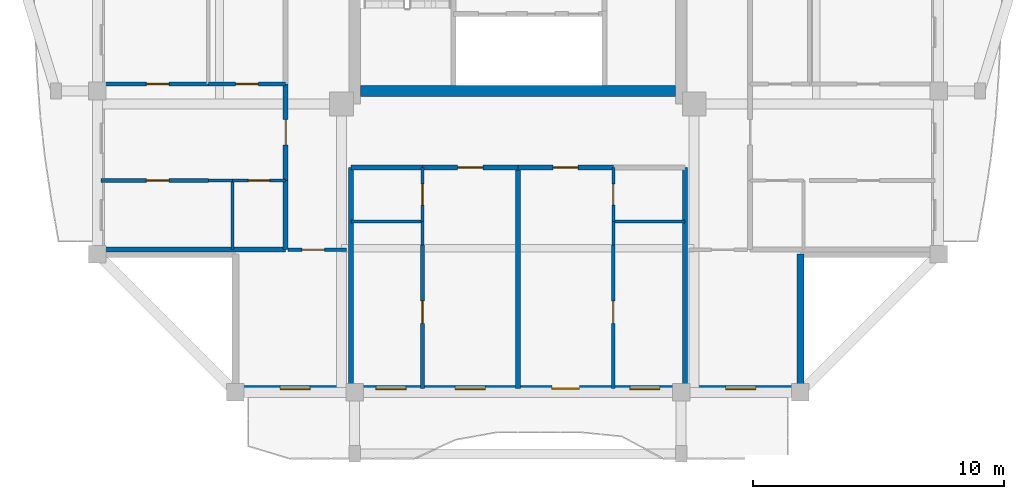
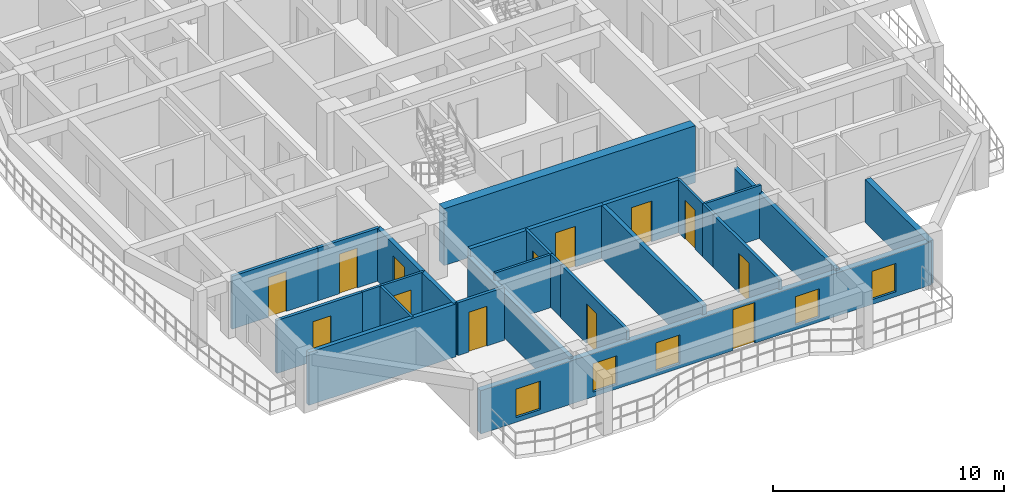
# One storey, part 2 of 13: 27 walls, 13 doors, 5 windows, 18 openings.
"""IFC4 building model written with IfcOpenShell, lengths in metres."""

from ifc_helpers import new_model, si_unit, direction, frame, frame_2d, origin, place, context, subcontext, project, spatial, rectangle, extrude, source, transform, mapped, material, layer, layer_set, type_object, element, fill, save


model = new_model("IFC4")

# Units and contexts
model_context = context("Model", 3, precision=1e-05, world=origin(), true_north=direction((0.0, 1.0)))
body_context = subcontext(model_context, "Body", "Model", "MODEL_VIEW")
ifc_project = project(units=[si_unit("LENGTHUNIT", "METRE"), si_unit("AREAUNIT", "SQUARE_METRE"), si_unit("VOLUMEUNIT", "CUBIC_METRE"), si_unit("PLANEANGLEUNIT", "RADIAN"), si_unit("MASSUNIT", "GRAM", prefix="KILO")], contexts=[model_context])

# Site, building, storey
site_placement = place(None, origin())
site = spatial("IfcSite", under=ifc_project, at=site_placement, CompositionType="ELEMENT")
building_placement = place(site_placement, origin())
building = spatial("IfcBuilding", under=site, at=building_placement, Name="Saelheon Loggia Tower", CompositionType="ELEMENT")
storey_placement = place(building_placement, frame((0.0, 0.0, 220.199951171875)))
storey = spatial("IfcBuildingStorey", under=building, at=storey_placement, Name="L68", CompositionType="ELEMENT", Elevation=220.199951171875)

# Wall
ifc_material_1 = material(Name="Concrete C45/55", Category="concrete")
ifc_layer_1 = layer(ifc_material_1, 0.449951171875)
ifc_layer_set_1 = layer_set([ifc_layer_1], Name="Concrete C45/55")
wall_type_1 = type_object("IfcWallType", Name="Wall_CoreShear_450", PredefinedType="SHEAR", material=ifc_layer_set_1)
wall_1_placement = place(storey_placement, frame((31.72509765625, 18.0, 0.0), z_axis=(0.0, 0.0, 1.0), x_axis=(1.0, 0.0, 0.0)))
element("IfcWall", 1, at=wall_1_placement, inside=storey, type_object=wall_type_1, Name="L68 Core Shear Wall South", PredefinedType="SHEAR", context=body_context, shape_type="SweptSolid", body=[
    extrude(rectangle(XDim=12.5498046875, YDim=0.449951171875, at=frame_2d((6.27490234375, 0.0))), origin(), (0.0, 0.0, 1.0), 3.0),
])

# Wall, openings, windows, door
ifc_material_2 = material(Name="Architectural Precast Concrete C40/50", Category="concrete")
ifc_layer_2 = layer(ifc_material_2, 0.280029296875)
ifc_layer_set_2 = layer_set([ifc_layer_2], Name="Architectural Precast Concrete C40/50")
wall_type_2 = type_object("IfcWallType", Name="Wall_Ext_Loggia_280", PredefinedType="SOLIDWALL", material=ifc_layer_set_2)
wall_2_placement = place(storey_placement, frame((26.75, 6.139892578125, 0.0), z_axis=(0.0, 0.0, 1.0), x_axis=(1.0, 0.0, 0.0)))
wall_2 = element("IfcWall", 2, at=wall_2_placement, inside=storey, type_object=wall_type_2, Name="L68 South Loggia Inner Wall", PredefinedType="SOLIDWALL", context=body_context, shape_type="SweptSolid", body=[
    extrude(rectangle(XDim=22.5, YDim=0.280029296875, at=frame_2d((11.25, 0.0))), origin(), (0.0, 0.0, 1.0), 2.280029296875),
])
opening_1_placement = place(wall_2_placement, frame((1.77490234375, 0.0, 0.25)))
opening_1 = element("IfcOpeningElement", 3, at=opening_1_placement, cuts=wall_2, Name="Opening WN-03", PredefinedType="OPENING", context=body_context, shape_type="SweptSolid", body=[
    extrude(rectangle(XDim=1.199951171875, YDim=1.5, at=frame_2d((0.60009765625, 0.75))), frame((0.0, 0.152099609375, 0.0), z_axis=(0.0, -1.0, 0.0), x_axis=(1.0, 0.0, 0.0)), (0.0, 0.0, 1.0), 0.303955078125),
])
opening_2_placement = place(wall_2_placement, frame((5.594970703125, 0.0, 0.25)))
opening_2 = element("IfcOpeningElement", 4, at=opening_2_placement, cuts=wall_2, Name="Opening WN-03", PredefinedType="OPENING", context=body_context, shape_type="SweptSolid", body=[
    extrude(rectangle(XDim=1.199951171875, YDim=1.5, at=frame_2d((0.60009765625, 0.75))), frame((0.0, 0.152099609375, 0.0), z_axis=(0.0, -1.0, 0.0), x_axis=(1.0, 0.0, 0.0)), (0.0, 0.0, 1.0), 0.303955078125),
])
opening_3_placement = place(wall_2_placement, frame((8.75, 0.0, 0.25)))
opening_3 = element("IfcOpeningElement", 5, at=opening_3_placement, cuts=wall_2, Name="Opening WN-03", PredefinedType="OPENING", context=body_context, shape_type="SweptSolid", body=[
    extrude(rectangle(XDim=1.199951171875, YDim=1.5, at=frame_2d((0.60009765625, 0.75))), frame((0.0, 0.152099609375, 0.0), z_axis=(0.0, -1.0, 0.0), x_axis=(1.0, 0.0, 0.0)), (0.0, 0.0, 1.0), 0.303955078125),
])
opening_4_placement = place(wall_2_placement, frame((13.7001953125, 0.0, 0.0), z_axis=(0.0, 0.0, 1.0), x_axis=(-1.0, 0.0, 0.0)))
opening_4 = element("IfcOpeningElement", 6, at=opening_4_placement, cuts=wall_2, Name="Opening TD1", PredefinedType="OPENING", context=body_context, shape_type="SweptSolid", body=[
    extrude(rectangle(XDim=1.10009765625, YDim=2.14990234375, at=frame_2d((0.550048828125, 1.074951171875))), frame((0.0, 0.152099609375, 0.0), z_axis=(0.0, -1.0, 0.0), x_axis=(1.0, 0.0, 0.0)), (0.0, 0.0, 1.0), 0.303955078125),
])
opening_5_placement = place(wall_2_placement, frame((15.705078125, 0.0, 0.25)))
opening_5 = element("IfcOpeningElement", 7, at=opening_5_placement, cuts=wall_2, Name="Opening WN-03", PredefinedType="OPENING", context=body_context, shape_type="SweptSolid", body=[
    extrude(rectangle(XDim=1.199951171875, YDim=1.5, at=frame_2d((0.60009765625, 0.75))), frame((0.0, 0.152099609375, 0.0), z_axis=(0.0, -1.0, 0.0), x_axis=(1.0, 0.0, 0.0)), (0.0, 0.0, 1.0), 0.303955078125),
])
opening_6_placement = place(wall_2_placement, frame((19.52490234375, 0.0, 0.25)))
opening_6 = element("IfcOpeningElement", 8, at=opening_6_placement, cuts=wall_2, Name="Opening WN-03", PredefinedType="OPENING", context=body_context, shape_type="SweptSolid", body=[
    extrude(rectangle(XDim=1.199951171875, YDim=1.5, at=frame_2d((0.60009765625, 0.75))), frame((0.0, 0.152099609375, 0.0), z_axis=(0.0, -1.0, 0.0), x_axis=(1.0, 0.0, 0.0)), (0.0, 0.0, 1.0), 0.303955078125),
])
ifc_material_3 = material(Name="Thermal-Break Aluminium and Triple Low-E Glass", Category="aluminium")
window_type = type_object("IfcWindowType", Name="Win_Bedroom_1200x1500", PartitioningType="SINGLE_PANEL", PredefinedType="WINDOW", material=ifc_material_3)
shared_shape_1 = source(origin(), body_context, "Body", "SweptSolid", [
    extrude(rectangle(XDim=1.199951171875, YDim=1.5, at=frame_2d((0.60009765625, 0.75))), frame((0.0, 0.030029296875, 0.0), z_axis=(0.0, -1.0, 0.0), x_axis=(1.0, 0.0, 0.0)), (0.0, 0.0, 1.0), 0.06005859375),
])
window_1_placement = place(opening_1_placement, origin())
window_1 = element("IfcWindow", 9, at=window_1_placement, inside=storey, type_object=window_type, Name="L68 S Dwelling Window 1", OverallHeight=1.5, OverallWidth=1.199951171875, PartitioningType="SINGLE_PANEL", PredefinedType="WINDOW", context=body_context, shape_type="MappedRepresentation", body=[
    mapped(shared_shape_1, transform((0.0, 0.0, 0.0), scale=1.0)),
])
fill(opening_1, window_1)
window_2_placement = place(opening_2_placement, origin())
window_2 = element("IfcWindow", 10, at=window_2_placement, inside=storey, type_object=window_type, Name="L68 S Dwelling Window 2", OverallHeight=1.5, OverallWidth=1.199951171875, PartitioningType="SINGLE_PANEL", PredefinedType="WINDOW", context=body_context, shape_type="MappedRepresentation", body=[
    mapped(shared_shape_1, transform((0.0, 0.0, 0.0), scale=1.0)),
])
fill(opening_2, window_2)
window_3_placement = place(opening_3_placement, origin())
window_3 = element("IfcWindow", 11, at=window_3_placement, inside=storey, type_object=window_type, Name="L68 S Dwelling Window 3", OverallHeight=1.5, OverallWidth=1.199951171875, PartitioningType="SINGLE_PANEL", PredefinedType="WINDOW", context=body_context, shape_type="MappedRepresentation", body=[
    mapped(shared_shape_1, transform((0.0, 0.0, 0.0), scale=1.0)),
])
fill(opening_3, window_3)
window_4_placement = place(opening_5_placement, origin())
window_4 = element("IfcWindow", 12, at=window_4_placement, inside=storey, type_object=window_type, Name="L68 S Dwelling Window 5", OverallHeight=1.5, OverallWidth=1.199951171875, PartitioningType="SINGLE_PANEL", PredefinedType="WINDOW", context=body_context, shape_type="MappedRepresentation", body=[
    mapped(shared_shape_1, transform((0.0, 0.0, 0.0), scale=1.0)),
])
fill(opening_5, window_4)
window_5_placement = place(opening_6_placement, origin())
window_5 = element("IfcWindow", 13, at=window_5_placement, inside=storey, type_object=window_type, Name="L68 S Dwelling Window 6", OverallHeight=1.5, OverallWidth=1.199951171875, PartitioningType="SINGLE_PANEL", PredefinedType="WINDOW", context=body_context, shape_type="MappedRepresentation", body=[
    mapped(shared_shape_1, transform((0.0, 0.0, 0.0), scale=1.0)),
])
fill(opening_6, window_5)
ifc_material_4 = material(Name="Thermal-Break Aluminium Glazed Door", Category="aluminium")
door_type_1 = type_object("IfcDoorType", Name="Door_Terrace_TD1", OperationType="NOTDEFINED", PredefinedType="DOOR", material=ifc_material_4)
shared_shape_2 = source(origin(), body_context, "Body", "SweptSolid", [
    extrude(rectangle(XDim=1.10009765625, YDim=2.14990234375, at=frame_2d((0.550048828125, 1.074951171875))), frame((0.0, 0.02490234375, 0.0), z_axis=(0.0, -1.0, 0.0), x_axis=(1.0, 0.0, 0.0)), (0.0, 0.0, 1.0), 0.050048828125),
])
door_1_placement = place(opening_4_placement, origin())
door_1 = element("IfcDoor", 14, at=door_1_placement, inside=storey, type_object=door_type_1, Name="L68 S Loggia Access Door", OperationType="SINGLE_SWING_RIGHT", OverallHeight=2.14990234375, OverallWidth=1.10009765625, PredefinedType="DOOR", context=body_context, shape_type="MappedRepresentation", body=[
    mapped(shared_shape_2, transform((0.0, 0.0, 0.0), scale=1.0)),
])
fill(opening_4, door_1)

# Wall
wall_3_placement = place(storey_placement, frame((49.25, 6.080078125, 0.0), z_axis=(0.0, 0.0, 1.0), x_axis=(0.0, 1.0, 0.0)))
element("IfcWall", 15, at=wall_3_placement, inside=storey, type_object=wall_type_2, Name="L68 Corner Notch Precast Wall SE1", PredefinedType="SOLIDWALL", context=body_context, shape_type="SweptSolid", body=[
    extrude(rectangle(XDim=5.419921875, YDim=0.280029296875, at=frame_2d((2.7099609375, 0.0))), origin(), (0.0, 0.0, 1.0), 2.280029296875),
])

# Wall, opening, door
ifc_material_5 = material(Name="Lightweight Autoclaved Aerated Concrete Block and Acoustic Gypsum", Category="concrete")
ifc_layer_3 = layer(ifc_material_5, 0.14990234375)
ifc_layer_set_3 = layer_set([ifc_layer_3], Name="Lightweight Autoclaved Aerated Concrete Block and Acoustic Gypsum")
wall_type_3 = type_object("IfcWallType", Name="Wall_Part_150", PredefinedType="PARTITIONING", material=ifc_layer_set_3)
wall_4_placement = place(storey_placement, frame((28.85009765625, 11.679931640625, 0.0), z_axis=(0.0, 0.0, 1.0), x_axis=(1.0, 0.0, 0.0)))
wall_4 = element("IfcWall", 16, at=wall_4_placement, inside=storey, type_object=wall_type_3, Name="PW-L68-CSW-H", PredefinedType="PARTITIONING", context=body_context, shape_type="SweptSolid", body=[
    extrude(rectangle(XDim=2.329833984375, YDim=0.14990234375, at=frame_2d((1.1650390625, 0.0))), origin(), (0.0, 0.0, 1.0), 2.7900390625),
])
opening_7_placement = place(wall_4_placement, frame((0.550048828125, 0.0, 0.0)))
opening_7 = element("IfcOpeningElement", 17, at=opening_7_placement, cuts=wall_4, Name="Opening D-IN2", PredefinedType="OPENING", context=body_context, shape_type="SweptSolid", body=[
    extrude(rectangle(XDim=0.89990234375, YDim=2.10009765625, at=frame_2d((0.449951171875, 1.050048828125))), frame((0.0, 0.0869140625, 0.0), z_axis=(0.0, -1.0, 0.0), x_axis=(1.0, 0.0, 0.0)), (0.0, 0.0, 1.0), 0.173828125),
])
ifc_material_6 = material(Name="Engineered Oak Flush Door", Category="timber")
door_type_2 = type_object("IfcDoorType", Name="Door_Int_900", OperationType="NOTDEFINED", PredefinedType="DOOR", material=ifc_material_6)
shared_shape_3 = source(origin(), body_context, "Body", "SweptSolid", [
    extrude(rectangle(XDim=0.89990234375, YDim=2.10009765625, at=frame_2d((0.449951171875, 1.050048828125))), frame((0.0, 0.02490234375, 0.0), z_axis=(0.0, -1.0, 0.0), x_axis=(1.0, 0.0, 0.0)), (0.0, 0.0, 1.0), 0.050048828125),
])
door_2_placement = place(opening_7_placement, origin())
door_2 = element("IfcDoor", 18, at=door_2_placement, inside=storey, type_object=door_type_2, Name="L68 Corner Home Office SW Door", OperationType="SINGLE_SWING_RIGHT", OverallHeight=2.10009765625, OverallWidth=0.89990234375, PredefinedType="DOOR", context=body_context, shape_type="MappedRepresentation", body=[
    mapped(shared_shape_3, transform((0.0, 0.0, 0.0), scale=1.0)),
])
fill(opening_7, door_2)

wall_5_placement = place(storey_placement, frame((34.199951171875, 11.8701171875, 0.0), z_axis=(0.0, 0.0, 1.0), x_axis=(0.0, -1.0, 0.0)))
wall_5 = element("IfcWall", 19, at=wall_5_placement, inside=storey, type_object=wall_type_3, Name="L68 S Partition U08", PredefinedType="PARTITIONING", context=body_context, shape_type="SweptSolid", body=[
    extrude(rectangle(XDim=5.72021484375, YDim=0.14990234375, at=frame_2d((2.860107421875, 0.0))), origin(), (0.0, 0.0, 1.0), 2.7900390625),
])
opening_8_placement = place(wall_5_placement, frame((2.229248046875, 0.0, 0.0)))
opening_8 = element("IfcOpeningElement", 20, at=opening_8_placement, cuts=wall_5, Name="Opening D-IN2", PredefinedType="OPENING", context=body_context, shape_type="SweptSolid", body=[
    extrude(rectangle(XDim=0.89990234375, YDim=2.10009765625, at=frame_2d((0.449951171875, 1.050048828125))), frame((0.0, 0.0869140625, 0.0), z_axis=(0.0, -1.0, 0.0), x_axis=(1.0, 0.0, 0.0)), (0.0, 0.0, 1.0), 0.173828125),
])
door_3_placement = place(opening_8_placement, origin())
door_3 = element("IfcDoor", 21, at=door_3_placement, inside=storey, type_object=door_type_2, Name="Unit U01 Kitchen Door", OperationType="SINGLE_SWING_RIGHT", OverallHeight=2.10009765625, OverallWidth=0.89990234375, PredefinedType="DOOR", context=body_context, shape_type="MappedRepresentation", body=[
    mapped(shared_shape_3, transform((0.0, 0.0, 0.0), scale=1.0)),
])
fill(opening_8, door_3)

wall_6_placement = place(storey_placement, frame((41.800048828125, 11.8701171875, 0.0), z_axis=(0.0, 0.0, 1.0), x_axis=(0.0, -1.0, 0.0)))
wall_6 = element("IfcWall", 22, at=wall_6_placement, inside=storey, type_object=wall_type_3, Name="L68 S Partition U15", PredefinedType="PARTITIONING", context=body_context, shape_type="SweptSolid", body=[
    extrude(rectangle(XDim=5.72021484375, YDim=0.14990234375, at=frame_2d((2.860107421875, 0.0))), origin(), (0.0, 0.0, 1.0), 2.7900390625),
])
opening_9_placement = place(wall_6_placement, frame((2.229248046875, 0.0, 0.0)))
opening_9 = element("IfcOpeningElement", 23, at=opening_9_placement, cuts=wall_6, Name="Opening D-IN2", PredefinedType="OPENING", context=body_context, shape_type="SweptSolid", body=[
    extrude(rectangle(XDim=0.89990234375, YDim=2.10009765625, at=frame_2d((0.449951171875, 1.050048828125))), frame((0.0, 0.0869140625, 0.0), z_axis=(0.0, -1.0, 0.0), x_axis=(1.0, 0.0, 0.0)), (0.0, 0.0, 1.0), 0.173828125),
])
door_4_placement = place(opening_9_placement, origin())
door_4 = element("IfcDoor", 24, at=door_4_placement, inside=storey, type_object=door_type_2, Name="Unit U02 Kitchen Door", OperationType="SINGLE_SWING_LEFT", OverallHeight=2.10009765625, OverallWidth=0.89990234375, PredefinedType="DOOR", context=body_context, shape_type="MappedRepresentation", body=[
    mapped(shared_shape_3, transform((0.0, 0.0, 0.0), scale=1.0)),
])
fill(opening_9, door_4)

wall_7_placement = place(storey_placement, frame((25.669921875, 14.429931640625, 0.0), z_axis=(0.0, 0.0, 1.0), x_axis=(-1.0, 0.0, 0.0)))
wall_7 = element("IfcWall", 25, at=wall_7_placement, inside=storey, type_object=wall_type_3, Name="L68 W Partition U10", PredefinedType="PARTITIONING", context=body_context, shape_type="SweptSolid", body=[
    extrude(rectangle(XDim=4.27001953125, YDim=0.14990234375, at=frame_2d((2.135009765625, 0.0))), origin(), (0.0, 0.0, 1.0), 2.7900390625),
])
opening_10_placement = place(wall_7_placement, frame((1.564697265625, 0.0, 0.0)))
opening_10 = element("IfcOpeningElement", 26, at=opening_10_placement, cuts=wall_7, Name="Opening D-IN2", PredefinedType="OPENING", context=body_context, shape_type="SweptSolid", body=[
    extrude(rectangle(XDim=0.89990234375, YDim=2.10009765625, at=frame_2d((0.449951171875, 1.050048828125))), frame((0.0, 0.0869140625, 0.0), z_axis=(0.0, -1.0, 0.0), x_axis=(1.0, 0.0, 0.0)), (0.0, 0.0, 1.0), 0.173828125),
])
door_5_placement = place(opening_10_placement, origin())
door_5 = element("IfcDoor", 27, at=door_5_placement, inside=storey, type_object=door_type_2, Name="Unit U05 Kitchen Door", OperationType="SINGLE_SWING_LEFT", OverallHeight=2.10009765625, OverallWidth=0.89990234375, PredefinedType="DOOR", context=body_context, shape_type="MappedRepresentation", body=[
    mapped(shared_shape_3, transform((0.0, 0.0, 0.0), scale=1.0)),
])
fill(opening_10, door_5)

wall_8_placement = place(storey_placement, frame((28.75, 18.280029296875, 0.0), z_axis=(0.0, 0.0, 1.0), x_axis=(-1.0, 0.0, 0.0)))
wall_8 = element("IfcWall", 28, at=wall_8_placement, inside=storey, type_object=wall_type_3, Name="L68 W Partition U11", PredefinedType="PARTITIONING", context=body_context, shape_type="SweptSolid", body=[
    extrude(rectangle(XDim=3.080078125, YDim=0.14990234375, at=frame_2d((1.5400390625, 0.0))), origin(), (0.0, 0.0, 1.0), 2.7900390625),
])
opening_11_placement = place(wall_8_placement, frame((1.090087890625, 0.0, 0.0)))
opening_11 = element("IfcOpeningElement", 29, at=opening_11_placement, cuts=wall_8, Name="Opening D-IN2", PredefinedType="OPENING", context=body_context, shape_type="SweptSolid", body=[
    extrude(rectangle(XDim=0.89990234375, YDim=2.10009765625, at=frame_2d((0.449951171875, 1.050048828125))), frame((0.0, 0.0869140625, 0.0), z_axis=(0.0, -1.0, 0.0), x_axis=(1.0, 0.0, 0.0)), (0.0, 0.0, 1.0), 0.173828125),
])
door_6_placement = place(opening_11_placement, origin())
door_6 = element("IfcDoor", 30, at=door_6_placement, inside=storey, type_object=door_type_2, Name="Unit U05 Home Office Door", OperationType="SINGLE_SWING_RIGHT", OverallHeight=2.10009765625, OverallWidth=0.89990234375, PredefinedType="DOOR", context=body_context, shape_type="MappedRepresentation", body=[
    mapped(shared_shape_3, transform((0.0, 0.0, 0.0), scale=1.0)),
])
fill(opening_11, door_6)

wall_9_placement = place(storey_placement, frame((25.669921875, 18.280029296875, 0.0), z_axis=(0.0, 0.0, 1.0), x_axis=(-1.0, 0.0, 0.0)))
wall_9 = element("IfcWall", 31, at=wall_9_placement, inside=storey, type_object=wall_type_3, Name="L68 W Partition U12", PredefinedType="PARTITIONING", context=body_context, shape_type="SweptSolid", body=[
    extrude(rectangle(XDim=4.27001953125, YDim=0.14990234375, at=frame_2d((2.135009765625, 0.0))), origin(), (0.0, 0.0, 1.0), 2.7900390625),
])
opening_12_placement = place(wall_9_placement, frame((1.564697265625, 0.0, 0.0)))
opening_12 = element("IfcOpeningElement", 32, at=opening_12_placement, cuts=wall_9, Name="Opening D-IN2", PredefinedType="OPENING", context=body_context, shape_type="SweptSolid", body=[
    extrude(rectangle(XDim=0.89990234375, YDim=2.10009765625, at=frame_2d((0.449951171875, 1.050048828125))), frame((0.0, 0.0869140625, 0.0), z_axis=(0.0, -1.0, 0.0), x_axis=(1.0, 0.0, 0.0)), (0.0, 0.0, 1.0), 0.173828125),
])
door_7_placement = place(opening_12_placement, origin())
door_7 = element("IfcDoor", 33, at=door_7_placement, inside=storey, type_object=door_type_2, Name="Unit U05 Bedroom 1 Door", OperationType="SINGLE_SWING_LEFT", OverallHeight=2.10009765625, OverallWidth=0.89990234375, PredefinedType="DOOR", context=body_context, shape_type="MappedRepresentation", body=[
    mapped(shared_shape_3, transform((0.0, 0.0, 0.0), scale=1.0)),
])
fill(opening_12, door_7)

# Walls
ifc_material_7 = material(Name="Double Acoustic Stud and Fireboard Partition", Category="gypsum")
ifc_layer_4 = layer(ifc_material_7, 0.199951171875)
ifc_layer_set_4 = layer_set([ifc_layer_4], Name="Double Acoustic Stud and Fireboard Partition")
wall_type_4 = type_object("IfcWallType", Name="Wall_Party_200", PredefinedType="PARTITIONING", material=ifc_layer_set_4)
for number, where, z_axis, x_axis, name in (
    (34, (31.35009765625, 14.949951171875, 0.0), (0.0, 0.0, 1.0), (0.0, -1.0, 0.0), "L68 S Partition U01"),
    (35, (44.64990234375, 14.949951171875, 0.0), (0.0, 0.0, 1.0), (0.0, -1.0, 0.0), "L68 S Partition U02"),
):
    element("IfcWall", number, at=place(storey_placement, frame(where, z_axis=z_axis, x_axis=x_axis)), inside=storey, type_object=wall_type_4, Name=name, PredefinedType="PARTITIONING", context=body_context, shape_type="SweptSolid", body=[
        extrude(rectangle(XDim=8.800048828125, YDim=0.199951171875, at=frame_2d((4.39990234375, 0.0))), origin(), (0.0, 0.0, 1.0), 2.39013671875),
    ])
wall_10_placement = place(storey_placement, frame((31.35009765625, 14.949951171875, 0.0), z_axis=(0.0, 0.0, 1.0), x_axis=(1.0, 0.0, 0.0)))
element("IfcWall", 36, at=wall_10_placement, inside=storey, type_object=wall_type_4, Name="L68 S Partition V03", PredefinedType="PARTITIONING", context=body_context, shape_type="SweptSolid", body=[
    extrude(rectangle(XDim=2.849853515625, YDim=0.199951171875, at=frame_2d((1.4248046875, 0.0))), origin(), (0.0, 0.0, 1.0), 2.7900390625),
])

# Wall, opening, door
wall_11_placement = place(storey_placement, frame((34.199951171875, 14.949951171875, 0.0), z_axis=(0.0, 0.0, 1.0), x_axis=(1.0, 0.0, 0.0)))
wall_11 = element("IfcWall", 37, at=wall_11_placement, inside=storey, type_object=wall_type_4, Name="L68 S Partition V04", PredefinedType="PARTITIONING", context=body_context, shape_type="SweptSolid", body=[
    extrude(rectangle(XDim=3.800048828125, YDim=0.199951171875, at=frame_2d((1.89990234375, 0.0))), origin(), (0.0, 0.0, 1.0), 2.7900390625),
])
opening_13_placement = place(wall_11_placement, frame((1.39990234375, 0.0, 0.0)))
opening_13 = element("IfcOpeningElement", 38, at=opening_13_placement, cuts=wall_11, Name="Opening D-FD1", PredefinedType="OPENING", context=body_context, shape_type="SweptSolid", body=[
    extrude(rectangle(XDim=1.0, YDim=2.14990234375, at=frame_2d((0.5, 1.074951171875))), frame((0.0, 0.112060546875, 0.0), z_axis=(0.0, -1.0, 0.0), x_axis=(1.0, 0.0, 0.0)), (0.0, 0.0, 1.0), 0.223876953125),
])
ifc_material_8 = material(Name="Fire-Rated Engineered Timber Entrance Door", Category="wood")
door_type_3 = type_object("IfcDoorType", Name="Door_Flat_FD30S", OperationType="NOTDEFINED", PredefinedType="DOOR", material=ifc_material_8)
shared_shape_4 = source(origin(), body_context, "Body", "SweptSolid", [
    extrude(rectangle(XDim=1.0, YDim=2.14990234375, at=frame_2d((0.5, 1.074951171875))), frame((0.0, 0.02490234375, 0.0), z_axis=(0.0, -1.0, 0.0), x_axis=(1.0, 0.0, 0.0)), (0.0, 0.0, 1.0), 0.050048828125),
])
door_8_placement = place(opening_13_placement, origin())
door_8 = element("IfcDoor", 39, at=door_8_placement, inside=storey, type_object=door_type_3, Name="Unit U01 Entrance Door", OperationType="SINGLE_SWING_RIGHT", OverallHeight=2.14990234375, OverallWidth=1.0, PredefinedType="DOOR", context=body_context, shape_type="MappedRepresentation", body=[
    mapped(shared_shape_4, transform((0.0, 0.0, 0.0), scale=1.0)),
])
fill(opening_13, door_8)

# Wall
wall_12_placement = place(storey_placement, frame((38.0, 14.949951171875, 0.0), z_axis=(0.0, 0.0, 1.0), x_axis=(0.0, -1.0, 0.0)))
element("IfcWall", 40, at=wall_12_placement, inside=storey, type_object=wall_type_4, Name="L68 S Partition U09", PredefinedType="PARTITIONING", context=body_context, shape_type="SweptSolid", body=[
    extrude(rectangle(XDim=8.800048828125, YDim=0.199951171875, at=frame_2d((4.39990234375, 0.0))), origin(), (0.0, 0.0, 1.0), 2.7900390625),
])

# Wall, opening, door
wall_13_placement = place(storey_placement, frame((38.0, 14.949951171875, 0.0), z_axis=(0.0, 0.0, 1.0), x_axis=(1.0, 0.0, 0.0)))
wall_13 = element("IfcWall", 41, at=wall_13_placement, inside=storey, type_object=wall_type_4, Name="L68 S Partition V10", PredefinedType="PARTITIONING", context=body_context, shape_type="SweptSolid", body=[
    extrude(rectangle(XDim=3.800048828125, YDim=0.199951171875, at=frame_2d((1.89990234375, 0.0))), origin(), (0.0, 0.0, 1.0), 2.7900390625),
])
opening_14_placement = place(wall_13_placement, frame((1.39990234375, 0.0, 0.0)))
opening_14 = element("IfcOpeningElement", 42, at=opening_14_placement, cuts=wall_13, Name="Opening D-FD1", PredefinedType="OPENING", context=body_context, shape_type="SweptSolid", body=[
    extrude(rectangle(XDim=1.0, YDim=2.14990234375, at=frame_2d((0.5, 1.074951171875))), frame((0.0, 0.112060546875, 0.0), z_axis=(0.0, -1.0, 0.0), x_axis=(1.0, 0.0, 0.0)), (0.0, 0.0, 1.0), 0.223876953125),
])
door_9_placement = place(opening_14_placement, origin())
door_9 = element("IfcDoor", 43, at=door_9_placement, inside=storey, type_object=door_type_3, Name="Unit U02 Entrance Door", OperationType="SINGLE_SWING_LEFT", OverallHeight=2.14990234375, OverallWidth=1.0, PredefinedType="DOOR", context=body_context, shape_type="MappedRepresentation", body=[
    mapped(shared_shape_4, transform((0.0, 0.0, 0.0), scale=1.0)),
])
fill(opening_14, door_9)

# Walls
wall_14_placement = place(storey_placement, frame((28.75, 11.679931640625, 0.0), z_axis=(0.0, 0.0, 1.0), x_axis=(-1.0, 0.0, 0.0)))
element("IfcWall", 44, at=wall_14_placement, inside=storey, type_object=wall_type_4, Name="L68 W Partition U01", PredefinedType="PARTITIONING", context=body_context, shape_type="SweptSolid", body=[
    extrude(rectangle(XDim=7.35009765625, YDim=0.199951171875, at=frame_2d((3.675048828125, 0.0))), origin(), (0.0, 0.0, 1.0), 2.7900390625),
])
wall_15_placement = place(storey_placement, frame((28.75, 11.679931640625, 0.0), z_axis=(0.0, 0.0, 1.0), x_axis=(0.0, 1.0, 0.0)))
element("IfcWall", 45, at=wall_15_placement, inside=storey, type_object=wall_type_4, Name="L68 W Partition V03", PredefinedType="PARTITIONING", context=body_context, shape_type="SweptSolid", body=[
    extrude(rectangle(XDim=2.75, YDim=0.199951171875, at=frame_2d((1.375, 0.0))), origin(), (0.0, 0.0, 1.0), 2.7900390625),
])

# Wall, opening, door
wall_16_placement = place(storey_placement, frame((28.75, 14.429931640625, 0.0), z_axis=(0.0, 0.0, 1.0), x_axis=(0.0, 1.0, 0.0)))
wall_16 = element("IfcWall", 46, at=wall_16_placement, inside=storey, type_object=wall_type_4, Name="L68 W Partition V04", PredefinedType="PARTITIONING", context=body_context, shape_type="SweptSolid", body=[
    extrude(rectangle(XDim=3.85009765625, YDim=0.199951171875, at=frame_2d((1.925048828125, 0.0))), origin(), (0.0, 0.0, 1.0), 2.7900390625),
])
opening_15_placement = place(wall_16_placement, frame((1.425048828125, 0.0, 0.0)))
opening_15 = element("IfcOpeningElement", 47, at=opening_15_placement, cuts=wall_16, Name="Opening D-FD1", PredefinedType="OPENING", context=body_context, shape_type="SweptSolid", body=[
    extrude(rectangle(XDim=1.0, YDim=2.14990234375, at=frame_2d((0.5, 1.074951171875))), frame((0.0, 0.112060546875, 0.0), z_axis=(0.0, -1.0, 0.0), x_axis=(1.0, 0.0, 0.0)), (0.0, 0.0, 1.0), 0.223876953125),
])
door_10_placement = place(opening_15_placement, origin())
door_10 = element("IfcDoor", 48, at=door_10_placement, inside=storey, type_object=door_type_3, Name="Unit U05 Entrance Door", OperationType="SINGLE_SWING_LEFT", OverallHeight=2.14990234375, OverallWidth=1.0, PredefinedType="DOOR", context=body_context, shape_type="MappedRepresentation", body=[
    mapped(shared_shape_4, transform((0.0, 0.0, 0.0), scale=1.0)),
])
fill(opening_15, door_10)

ifc_material_9 = material(Name="Moisture-Resistant Cement Board Partition", Category="gypsum")
ifc_layer_5 = layer(ifc_material_9, 0.1201171875)
ifc_layer_set_5 = layer_set([ifc_layer_5], Name="Moisture-Resistant Cement Board Partition")
wall_type_5 = type_object("IfcWallType", Name="Wall_WetPart_120", PredefinedType="PARTITIONING", material=ifc_layer_set_5)
wall_17_placement = place(storey_placement, frame((34.199951171875, 14.949951171875, 0.0), z_axis=(0.0, 0.0, 1.0), x_axis=(0.0, -1.0, 0.0)))
wall_17 = element("IfcWall", 49, at=wall_17_placement, inside=storey, type_object=wall_type_5, Name="L68 S Partition U05", PredefinedType="PARTITIONING", context=body_context, shape_type="SweptSolid", body=[
    extrude(rectangle(XDim=2.14990234375, YDim=0.1201171875, at=frame_2d((1.074951171875, 0.0))), origin(), (0.0, 0.0, 1.0), 2.7900390625),
])
opening_16_placement = place(wall_17_placement, frame((0.64990234375, 0.0, 0.0)))
opening_16 = element("IfcOpeningElement", 50, at=opening_16_placement, cuts=wall_17, Name="Opening D-BT1", PredefinedType="OPENING", context=body_context, shape_type="SweptSolid", body=[
    extrude(rectangle(XDim=0.85009765625, YDim=2.050048828125, at=frame_2d((0.425048828125, 1.02490234375))), frame((0.0, 0.072021484375, 0.0), z_axis=(0.0, -1.0, 0.0), x_axis=(1.0, 0.0, 0.0)), (0.0, 0.0, 1.0), 0.14404296875),
])
ifc_material_10 = material(Name="Moisture-Resistant Laminate Timber Door", Category="wood")
door_type_4 = type_object("IfcDoorType", Name="Door_Bath_850", OperationType="NOTDEFINED", PredefinedType="DOOR", material=ifc_material_10)
shared_shape_5 = source(origin(), body_context, "Body", "SweptSolid", [
    extrude(rectangle(XDim=0.85009765625, YDim=2.050048828125, at=frame_2d((0.425048828125, 1.02490234375))), frame((0.0, 0.02490234375, 0.0), z_axis=(0.0, -1.0, 0.0), x_axis=(1.0, 0.0, 0.0)), (0.0, 0.0, 1.0), 0.050048828125),
])
door_11_placement = place(opening_16_placement, origin())
door_11 = element("IfcDoor", 51, at=door_11_placement, inside=storey, type_object=door_type_4, Name="Unit U01 Bathroom Door", OperationType="SINGLE_SWING_LEFT", OverallHeight=2.050048828125, OverallWidth=0.85009765625, PredefinedType="DOOR", context=body_context, shape_type="MappedRepresentation", body=[
    mapped(shared_shape_5, transform((0.0, 0.0, 0.0), scale=1.0)),
])
fill(opening_16, door_11)

# Walls
wall_18_placement = place(storey_placement, frame((34.199951171875, 12.800048828125, 0.0), z_axis=(0.0, 0.0, 1.0), x_axis=(0.0, -1.0, 0.0)))
element("IfcWall", 52, at=wall_18_placement, inside=storey, type_object=wall_type_5, Name="L68 S Partition U06", PredefinedType="PARTITIONING", context=body_context, shape_type="SweptSolid", body=[
    extrude(rectangle(XDim=0.929931640625, YDim=0.1201171875, at=frame_2d((0.46484375, 0.0))), origin(), (0.0, 0.0, 1.0), 2.7900390625),
])
wall_19_placement = place(storey_placement, frame((31.35009765625, 12.800048828125, 0.0), z_axis=(0.0, 0.0, 1.0), x_axis=(1.0, 0.0, 0.0)))
element("IfcWall", 53, at=wall_19_placement, inside=storey, type_object=wall_type_5, Name="L68 S Partition V07", PredefinedType="PARTITIONING", context=body_context, shape_type="SweptSolid", body=[
    extrude(rectangle(XDim=2.849853515625, YDim=0.1201171875, at=frame_2d((1.4248046875, 0.0))), origin(), (0.0, 0.0, 1.0), 2.7900390625),
])

# Wall, opening, door
wall_20_placement = place(storey_placement, frame((41.800048828125, 14.949951171875, 0.0), z_axis=(0.0, 0.0, 1.0), x_axis=(0.0, -1.0, 0.0)))
wall_20 = element("IfcWall", 54, at=wall_20_placement, inside=storey, type_object=wall_type_5, Name="L68 S Partition U12", PredefinedType="PARTITIONING", context=body_context, shape_type="SweptSolid", body=[
    extrude(rectangle(XDim=2.14990234375, YDim=0.1201171875, at=frame_2d((1.074951171875, 0.0))), origin(), (0.0, 0.0, 1.0), 2.7900390625),
])
opening_17_placement = place(wall_20_placement, frame((0.64990234375, 0.0, 0.0)))
opening_17 = element("IfcOpeningElement", 55, at=opening_17_placement, cuts=wall_20, Name="Opening D-BT1", PredefinedType="OPENING", context=body_context, shape_type="SweptSolid", body=[
    extrude(rectangle(XDim=0.85009765625, YDim=2.050048828125, at=frame_2d((0.425048828125, 1.02490234375))), frame((0.0, 0.072021484375, 0.0), z_axis=(0.0, -1.0, 0.0), x_axis=(1.0, 0.0, 0.0)), (0.0, 0.0, 1.0), 0.14404296875),
])
door_12_placement = place(opening_17_placement, origin())
door_12 = element("IfcDoor", 56, at=door_12_placement, inside=storey, type_object=door_type_4, Name="Unit U02 Bathroom Door", OperationType="SINGLE_SWING_RIGHT", OverallHeight=2.050048828125, OverallWidth=0.85009765625, PredefinedType="DOOR", context=body_context, shape_type="MappedRepresentation", body=[
    mapped(shared_shape_5, transform((0.0, 0.0, 0.0), scale=1.0)),
])
fill(opening_17, door_12)

# Walls
wall_21_placement = place(storey_placement, frame((41.800048828125, 12.800048828125, 0.0), z_axis=(0.0, 0.0, 1.0), x_axis=(0.0, -1.0, 0.0)))
element("IfcWall", 57, at=wall_21_placement, inside=storey, type_object=wall_type_5, Name="L68 S Partition U13", PredefinedType="PARTITIONING", context=body_context, shape_type="SweptSolid", body=[
    extrude(rectangle(XDim=0.929931640625, YDim=0.1201171875, at=frame_2d((0.46484375, 0.0))), origin(), (0.0, 0.0, 1.0), 2.7900390625),
])
wall_22_placement = place(storey_placement, frame((41.800048828125, 12.800048828125, 0.0), z_axis=(0.0, 0.0, 1.0), x_axis=(1.0, 0.0, 0.0)))
element("IfcWall", 58, at=wall_22_placement, inside=storey, type_object=wall_type_5, Name="L68 S Partition V14", PredefinedType="PARTITIONING", context=body_context, shape_type="SweptSolid", body=[
    extrude(rectangle(XDim=2.849853515625, YDim=0.1201171875, at=frame_2d((1.4248046875, 0.0))), origin(), (0.0, 0.0, 1.0), 2.7900390625),
])
wall_23_placement = place(storey_placement, frame((26.6298828125, 11.679931640625, 0.0), z_axis=(0.0, 0.0, 1.0), x_axis=(0.0, 1.0, 0.0)))
element("IfcWall", 59, at=wall_23_placement, inside=storey, type_object=wall_type_5, Name="L68 W Partition V06", PredefinedType="PARTITIONING", context=body_context, shape_type="SweptSolid", body=[
    extrude(rectangle(XDim=2.75, YDim=0.1201171875, at=frame_2d((1.375, 0.0))), origin(), (0.0, 0.0, 1.0), 2.7900390625),
])

# Wall, opening, door
wall_24_placement = place(storey_placement, frame((28.75, 14.429931640625, 0.0), z_axis=(0.0, 0.0, 1.0), x_axis=(-1.0, 0.0, 0.0)))
wall_24 = element("IfcWall", 60, at=wall_24_placement, inside=storey, type_object=wall_type_5, Name="L68 W Partition U08", PredefinedType="PARTITIONING", context=body_context, shape_type="SweptSolid", body=[
    extrude(rectangle(XDim=2.1201171875, YDim=0.1201171875, at=frame_2d((1.06005859375, 0.0))), origin(), (0.0, 0.0, 1.0), 2.7900390625),
])
opening_18_placement = place(wall_24_placement, frame((0.635009765625, 0.0, 0.0)))
opening_18 = element("IfcOpeningElement", 61, at=opening_18_placement, cuts=wall_24, Name="Opening D-BT1", PredefinedType="OPENING", context=body_context, shape_type="SweptSolid", body=[
    extrude(rectangle(XDim=0.85009765625, YDim=2.050048828125, at=frame_2d((0.425048828125, 1.02490234375))), frame((0.0, 0.072021484375, 0.0), z_axis=(0.0, -1.0, 0.0), x_axis=(1.0, 0.0, 0.0)), (0.0, 0.0, 1.0), 0.14404296875),
])
door_13_placement = place(opening_18_placement, origin())
door_13 = element("IfcDoor", 62, at=door_13_placement, inside=storey, type_object=door_type_4, Name="Unit U05 Bathroom Door", OperationType="SINGLE_SWING_RIGHT", OverallHeight=2.050048828125, OverallWidth=0.85009765625, PredefinedType="DOOR", context=body_context, shape_type="MappedRepresentation", body=[
    mapped(shared_shape_5, transform((0.0, 0.0, 0.0), scale=1.0)),
])
fill(opening_18, door_13)

# Wall
wall_25_placement = place(storey_placement, frame((26.6298828125, 14.429931640625, 0.0), z_axis=(0.0, 0.0, 1.0), x_axis=(-1.0, 0.0, 0.0)))
element("IfcWall", 63, at=wall_25_placement, inside=storey, type_object=wall_type_5, Name="L68 W Partition U09", PredefinedType="PARTITIONING", context=body_context, shape_type="SweptSolid", body=[
    extrude(rectangle(XDim=0.9599609375, YDim=0.1201171875, at=frame_2d((0.47998046875, 0.0))), origin(), (0.0, 0.0, 1.0), 2.7900390625),
])

save(model, "model.ifc")
